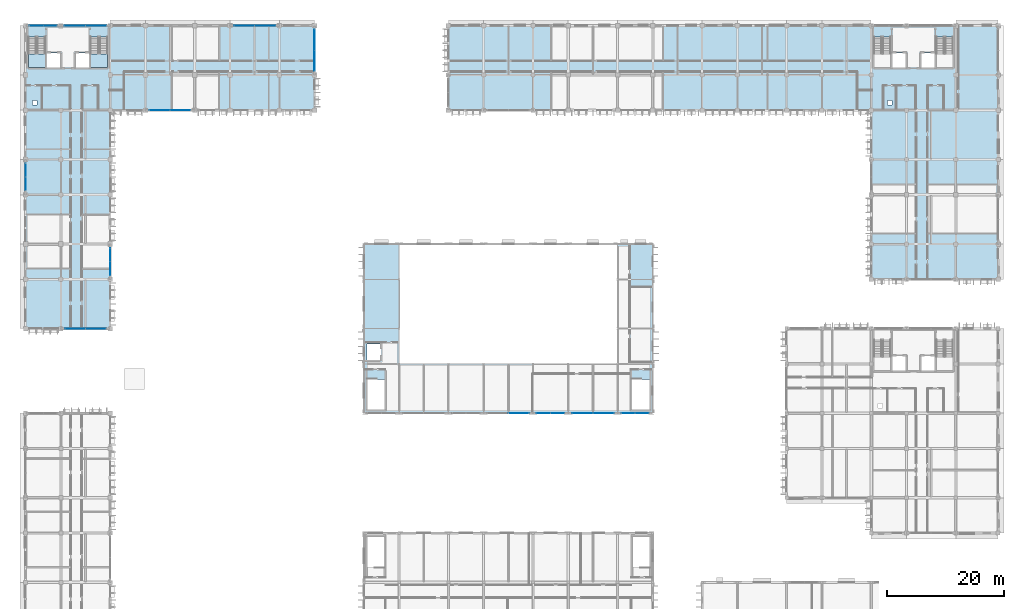
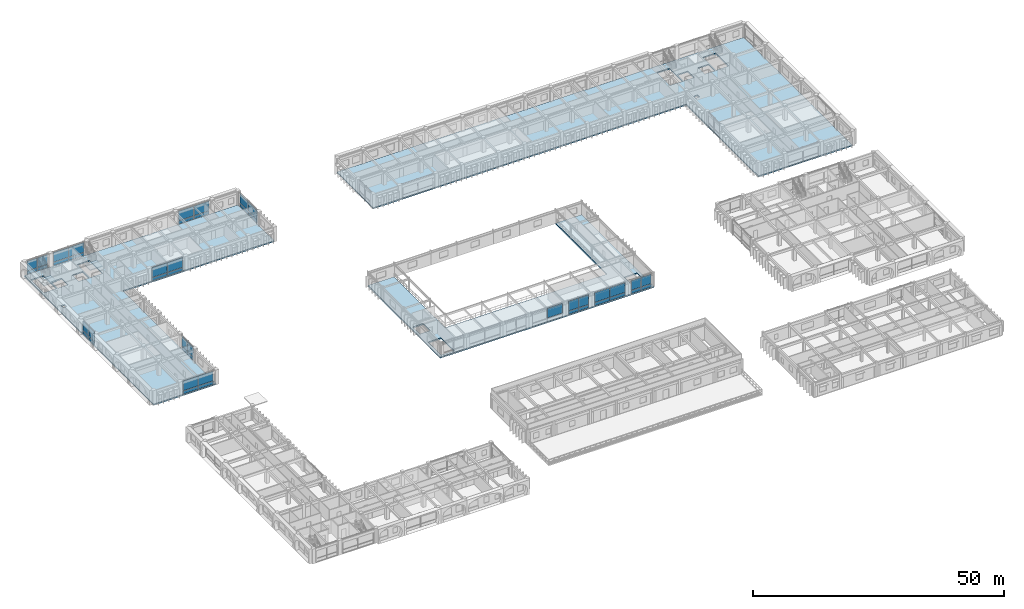
# One storey, part 43 of 88: 45 plates, 5 slabs, 14 elements without a shape of their own.
"""IFC4 building model written with IfcOpenShell, lengths in metres."""

from ifc_helpers import new_model, si_unit, direction, frame, origin, origin_2d, place, context, subcontext, project, spatial, polyline, rectangle, outline, extrude, material, layer, layer_set, type_object, element, aggregate, save


model = new_model("IFC4")

# Units and contexts
model_context = context("Model", 3, precision=1e-05, world=origin(), true_north=direction((0.0, 1.0)))
body_context = subcontext(model_context, "Body", "Model", "MODEL_VIEW")
ifc_project = project(units=[si_unit("LENGTHUNIT", "METRE"), si_unit("AREAUNIT", "SQUARE_METRE"), si_unit("VOLUMEUNIT", "CUBIC_METRE"), si_unit("PLANEANGLEUNIT", "RADIAN"), si_unit("MASSUNIT", "GRAM", prefix="KILO"), si_unit("THERMODYNAMICTEMPERATUREUNIT", "KELVIN")], contexts=[model_context])

# Site, building, storey
site_placement = place(None, origin())
site = spatial("IfcSite", under=ifc_project, at=site_placement, CompositionType="ELEMENT")
building_placement = place(site_placement, origin())
building = spatial("IfcBuilding", under=site, at=building_placement, Name="Thalorik Housing Commons", CompositionType="ELEMENT")
storey_placement = place(building_placement, frame((0.0, 0.0, 4.5)))
storey = spatial("IfcBuildingStorey", under=building, at=storey_placement, Name="L01", CompositionType="ELEMENT", Elevation=4.5)

# Curtain wall, plates
ifc_material_1 = material(Name="Anodised aluminium and solar-control low-E glass", Category="aluminium")
curtain_wall_type_1 = type_object("IfcCurtainWallType", Name="ARC-CW-LOUNGE", PredefinedType="USERDEFINED", material=ifc_material_1)
curtain_wall_1_placement = place(storey_placement, origin())
curtain_wall_1 = element("IfcCurtainWall", 1, at=curtain_wall_1_placement, inside=storey, type_object=curtain_wall_type_1, Name="L01 Curtain Wall CW-RES-L01-A-003", ObjectType="CURTAIN WALL", PredefinedType="USERDEFINED")
ifc_material_2 = material(Name="Cobalt blue enamelled aluminium spandrel panel", Category="aluminium")
ifc_layer_1 = layer(ifc_material_2, 0.0458984375, Name="Cobalt blue enamelled aluminium spandrel panel", Category="aluminium")
ifc_layer_set_1 = layer_set([ifc_layer_1], Name="Cobalt blue enamelled aluminium spandrel panel")
plate_type_1 = type_object("IfcPlateType", Name="ARC-CP-BLU-46", PredefinedType="CURTAIN_PANEL", material=ifc_layer_set_1)
plate_1_placement = place(storey_placement, frame((49.14990234375, 123.60009765625, 0.080078125), z_axis=(0.0, 0.0, 1.0), x_axis=(-1.0, 0.0, 0.0)))
plate_1 = element("IfcPlate", 2, at=plate_1_placement, type_object=plate_type_1, Name="CW-RES-L01-A-003 Spandrel Panel 1", PredefinedType="CURTAIN_PANEL", context=body_context, shape_type="SweptSolid", body=[
    extrude(rectangle(XDim=3.43994140625, YDim=0.0458984375, at=origin_2d()), origin(), (0.0, 0.0, 1.0), 0.760009765625),
])
plate_2_placement = place(storey_placement, frame((45.64990234375, 123.60009765625, 0.080078125), z_axis=(0.0, 0.0, 1.0), x_axis=(-1.0, 0.0, 0.0)))
plate_2 = element("IfcPlate", 3, at=plate_2_placement, type_object=plate_type_1, Name="CW-RES-L01-A-003 Spandrel Panel 2", PredefinedType="CURTAIN_PANEL", context=body_context, shape_type="SweptSolid", body=[
    extrude(rectangle(XDim=3.43994140625, YDim=0.0458984375, at=origin_2d()), origin(), (0.0, 0.0, 1.0), 0.760009765625),
])

curtain_wall_2_placement = place(storey_placement, origin())
curtain_wall_2 = element("IfcCurtainWall", 4, at=curtain_wall_2_placement, inside=storey, type_object=curtain_wall_type_1, Name="L01 Curtain Wall CW-RES-L01-A-006", ObjectType="CURTAIN WALL", PredefinedType="USERDEFINED")
plate_3_placement = place(storey_placement, frame((8.39990234375, 98.949951171875, 0.080078125), z_axis=(0.0, 0.0, 1.0), x_axis=(0.0, -1.0, 0.0)))
plate_3 = element("IfcPlate", 5, at=plate_3_placement, type_object=plate_type_1, Name="CW-RES-L01-A-006 Spandrel Panel 1", PredefinedType="CURTAIN_PANEL", context=body_context, shape_type="SweptSolid", body=[
    extrude(rectangle(XDim=2.239990234375, YDim=0.0458984375, at=origin_2d()), origin(), (0.0, 0.0, 1.0), 0.760009765625),
])
plate_4_placement = place(storey_placement, frame((8.39990234375, 96.64990234375, 0.080078125), z_axis=(0.0, 0.0, 1.0), x_axis=(0.0, -1.0, 0.0)))
plate_4 = element("IfcPlate", 6, at=plate_4_placement, type_object=plate_type_1, Name="CW-RES-L01-A-006 Spandrel Panel 2", PredefinedType="CURTAIN_PANEL", context=body_context, shape_type="SweptSolid", body=[
    extrude(rectangle(XDim=2.239990234375, YDim=0.0458984375, at=origin_2d()), origin(), (0.0, 0.0, 1.0), 0.760009765625),
])

curtain_wall_type_2 = type_object("IfcCurtainWallType", Name="ARC-CW-CIVIC", PredefinedType="USERDEFINED", material=ifc_material_1)
curtain_wall_3_placement = place(storey_placement, origin())
curtain_wall_3 = element("IfcCurtainWall", 7, at=curtain_wall_3_placement, inside=storey, type_object=curtain_wall_type_2, Name="L01 Curtain Wall CW-HALL-L01-217", ObjectType="CURTAIN WALL", PredefinedType="USERDEFINED")
plate_5_placement = place(storey_placement, frame((96.625, 57.60009765625, 0.080078125), z_axis=(0.0, 0.0, 1.0), x_axis=(1.0, 0.0, 0.0)))
plate_5 = element("IfcPlate", 8, at=plate_5_placement, type_object=plate_type_1, Name="CW-HALL-L01-217 Spandrel Panel 1", PredefinedType="CURTAIN_PANEL", context=body_context, shape_type="SweptSolid", body=[
    extrude(rectangle(XDim=2.2900390625, YDim=0.0458984375, at=origin_2d()), origin(), (0.0, 0.0, 1.0), 0.760009765625),
])
plate_6_placement = place(storey_placement, frame((98.97509765625, 57.60009765625, 0.080078125), z_axis=(0.0, 0.0, 1.0), x_axis=(1.0, 0.0, 0.0)))
plate_6 = element("IfcPlate", 9, at=plate_6_placement, type_object=plate_type_1, Name="CW-HALL-L01-217 Spandrel Panel 2", PredefinedType="CURTAIN_PANEL", context=body_context, shape_type="SweptSolid", body=[
    extrude(rectangle(XDim=2.2900390625, YDim=0.0458984375, at=origin_2d()), origin(), (0.0, 0.0, 1.0), 0.760009765625),
])

curtain_wall_4_placement = place(storey_placement, origin())
curtain_wall_4 = element("IfcCurtainWall", 10, at=curtain_wall_4_placement, inside=storey, type_object=curtain_wall_type_1, Name="L01 Curtain Wall CW-RES-L01-A-001", ObjectType="CURTAIN WALL", PredefinedType="USERDEFINED")
ifc_material_3 = material(Name="Double solar-control low-E glass", Category="glass")
ifc_layer_2 = layer(ifc_material_3, 0.028076171875, Name="Double solar-control low-E glass", Category="glass")
ifc_layer_set_2 = layer_set([ifc_layer_2], Name="Double solar-control low-E glass")
plate_type_2 = type_object("IfcPlateType", Name="ARC-CP-GLZ-28", PredefinedType="CURTAIN_PANEL", material=ifc_layer_set_2)
plate_7_placement = place(storey_placement, frame((31.25, 109.199951171875, 0.919921875), z_axis=(0.0, 0.0, 1.0), x_axis=(1.0, 0.0, 0.0)))
plate_7 = element("IfcPlate", 11, at=plate_7_placement, type_object=plate_type_2, Name="CW-RES-L01-A-001 Vision Panel 1", PredefinedType="CURTAIN_PANEL", context=body_context, shape_type="SweptSolid", body=[
    extrude(rectangle(XDim=3.43994140625, YDim=0.028076171875, at=origin_2d()), origin(), (0.0, 0.0, 1.0), 2.340087890625),
])
plate_8_placement = place(storey_placement, frame((34.75, 109.199951171875, 0.919921875), z_axis=(0.0, 0.0, 1.0), x_axis=(1.0, 0.0, 0.0)))
plate_8 = element("IfcPlate", 12, at=plate_8_placement, type_object=plate_type_2, Name="CW-RES-L01-A-001 Vision Panel 2", PredefinedType="CURTAIN_PANEL", context=body_context, shape_type="SweptSolid", body=[
    extrude(rectangle(XDim=3.43994140625, YDim=0.028076171875, at=origin_2d()), origin(), (0.0, 0.0, 1.0), 2.340087890625),
])

curtain_wall_5_placement = place(storey_placement, origin())
curtain_wall_5 = element("IfcCurtainWall", 13, at=curtain_wall_5_placement, inside=storey, type_object=curtain_wall_type_1, Name="L01 Curtain Wall CW-RES-L01-A-002", ObjectType="CURTAIN WALL", PredefinedType="USERDEFINED")
plate_9_placement = place(storey_placement, frame((57.60009765625, 117.64990234375, 0.919921875), z_axis=(0.0, 0.0, 1.0), x_axis=(0.0, 1.0, 0.0)))
plate_9 = element("IfcPlate", 14, at=plate_9_placement, type_object=plate_type_2, Name="CW-RES-L01-A-002 Vision Panel 1", PredefinedType="CURTAIN_PANEL", context=body_context, shape_type="SweptSolid", body=[
    extrude(rectangle(XDim=3.43994140625, YDim=0.028076171875, at=origin_2d()), origin(), (0.0, 0.0, 1.0), 2.340087890625),
])
plate_10_placement = place(storey_placement, frame((57.60009765625, 121.14990234375, 0.919921875), z_axis=(0.0, 0.0, 1.0), x_axis=(0.0, 1.0, 0.0)))
plate_10 = element("IfcPlate", 15, at=plate_10_placement, type_object=plate_type_2, Name="CW-RES-L01-A-002 Vision Panel 2", PredefinedType="CURTAIN_PANEL", context=body_context, shape_type="SweptSolid", body=[
    extrude(rectangle(XDim=3.43994140625, YDim=0.028076171875, at=origin_2d()), origin(), (0.0, 0.0, 1.0), 2.340087890625),
])

# Plate
plate_11_placement = place(storey_placement, frame((49.14990234375, 123.60009765625, 0.919921875), z_axis=(0.0, 0.0, 1.0), x_axis=(-1.0, 0.0, 0.0)))
plate_11 = element("IfcPlate", 16, at=plate_11_placement, type_object=plate_type_2, Name="CW-RES-L01-A-003 Vision Panel 1", PredefinedType="CURTAIN_PANEL", context=body_context, shape_type="SweptSolid", body=[
    extrude(rectangle(XDim=3.43994140625, YDim=0.028076171875, at=origin_2d()), origin(), (0.0, 0.0, 1.0), 2.340087890625),
])

plate_12_placement = place(storey_placement, frame((45.64990234375, 123.60009765625, 0.919921875), z_axis=(0.0, 0.0, 1.0), x_axis=(-1.0, 0.0, 0.0)))
plate_12 = element("IfcPlate", 17, at=plate_12_placement, type_object=plate_type_2, Name="CW-RES-L01-A-003 Vision Panel 2", PredefinedType="CURTAIN_PANEL", context=body_context, shape_type="SweptSolid", body=[
    extrude(rectangle(XDim=3.43994140625, YDim=0.028076171875, at=origin_2d()), origin(), (0.0, 0.0, 1.0), 2.340087890625),
])

aggregate(curtain_wall_1, [plate_1, plate_11, plate_2, plate_12])

# Curtain wall, plates
curtain_wall_type_3 = type_object("IfcCurtainWallType", Name="ARC-CW-CORE", PredefinedType="USERDEFINED", material=ifc_material_1)
curtain_wall_6_placement = place(storey_placement, origin())
curtain_wall_6 = element("IfcCurtainWall", 18, at=curtain_wall_6_placement, inside=storey, type_object=curtain_wall_type_3, Name="L01 Curtain Wall CW-CORE-L01-A-004", ObjectType="CURTAIN WALL", PredefinedType="USERDEFINED")
plate_13_placement = place(storey_placement, frame((20.375, 123.60009765625, 0.919921875), z_axis=(0.0, 0.0, 1.0), x_axis=(-1.0, 0.0, 0.0)))
plate_13 = element("IfcPlate", 19, at=plate_13_placement, type_object=plate_type_2, Name="CW-CORE-L01-A-004 Vision Panel 1", PredefinedType="CURTAIN_PANEL", context=body_context, shape_type="SweptSolid", body=[
    extrude(rectangle(XDim=3.489990234375, YDim=0.028076171875, at=origin_2d()), origin(), (0.0, 0.0, 1.0), 2.340087890625),
])
plate_14_placement = place(storey_placement, frame((16.824951171875, 123.60009765625, 0.919921875), z_axis=(0.0, 0.0, 1.0), x_axis=(-1.0, 0.0, 0.0)))
plate_14 = element("IfcPlate", 20, at=plate_14_placement, type_object=plate_type_2, Name="CW-CORE-L01-A-004 Vision Panel 2", PredefinedType="CURTAIN_PANEL", context=body_context, shape_type="SweptSolid", body=[
    extrude(rectangle(XDim=3.489990234375, YDim=0.028076171875, at=origin_2d()), origin(), (0.0, 0.0, 1.0), 2.340087890625),
])

curtain_wall_7_placement = place(storey_placement, origin())
curtain_wall_7 = element("IfcCurtainWall", 21, at=curtain_wall_7_placement, inside=storey, type_object=curtain_wall_type_3, Name="L01 Curtain Wall CW-CORE-L01-A-005", ObjectType="CURTAIN WALL", PredefinedType="USERDEFINED")
plate_15_placement = place(storey_placement, frame((12.574951171875, 123.60009765625, 0.919921875), z_axis=(0.0, 0.0, 1.0), x_axis=(-1.0, 0.0, 0.0)))
plate_15 = element("IfcPlate", 22, at=plate_15_placement, type_object=plate_type_2, Name="CW-CORE-L01-A-005 Vision Panel 1", PredefinedType="CURTAIN_PANEL", context=body_context, shape_type="SweptSolid", body=[
    extrude(rectangle(XDim=2.2900390625, YDim=0.028076171875, at=origin_2d()), origin(), (0.0, 0.0, 1.0), 2.340087890625),
])
plate_16_placement = place(storey_placement, frame((10.22509765625, 123.60009765625, 0.919921875), z_axis=(0.0, 0.0, 1.0), x_axis=(-1.0, 0.0, 0.0)))
plate_16 = element("IfcPlate", 23, at=plate_16_placement, type_object=plate_type_2, Name="CW-CORE-L01-A-005 Vision Panel 2", PredefinedType="CURTAIN_PANEL", context=body_context, shape_type="SweptSolid", body=[
    extrude(rectangle(XDim=2.2900390625, YDim=0.028076171875, at=origin_2d()), origin(), (0.0, 0.0, 1.0), 2.340087890625),
])

# Plate
plate_17_placement = place(storey_placement, frame((8.39990234375, 98.949951171875, 0.919921875), z_axis=(0.0, 0.0, 1.0), x_axis=(0.0, -1.0, 0.0)))
plate_17 = element("IfcPlate", 24, at=plate_17_placement, type_object=plate_type_2, Name="CW-RES-L01-A-006 Vision Panel 1", PredefinedType="CURTAIN_PANEL", context=body_context, shape_type="SweptSolid", body=[
    extrude(rectangle(XDim=2.239990234375, YDim=0.028076171875, at=origin_2d()), origin(), (0.0, 0.0, 1.0), 2.340087890625),
])

plate_18_placement = place(storey_placement, frame((8.39990234375, 96.64990234375, 0.919921875), z_axis=(0.0, 0.0, 1.0), x_axis=(0.0, -1.0, 0.0)))
plate_18 = element("IfcPlate", 25, at=plate_18_placement, type_object=plate_type_2, Name="CW-RES-L01-A-006 Vision Panel 2", PredefinedType="CURTAIN_PANEL", context=body_context, shape_type="SweptSolid", body=[
    extrude(rectangle(XDim=2.239990234375, YDim=0.028076171875, at=origin_2d()), origin(), (0.0, 0.0, 1.0), 2.340087890625),
])

aggregate(curtain_wall_2, [plate_3, plate_17, plate_4, plate_18])

# Curtain wall, plates
curtain_wall_8_placement = place(storey_placement, origin())
curtain_wall_8 = element("IfcCurtainWall", 26, at=curtain_wall_8_placement, inside=storey, type_object=curtain_wall_type_1, Name="L01 Curtain Wall CW-RES-L01-A-007", ObjectType="CURTAIN WALL", PredefinedType="USERDEFINED")
plate_19_placement = place(storey_placement, frame((16.85009765625, 72.0, 0.919921875), z_axis=(0.0, 0.0, 1.0), x_axis=(1.0, 0.0, 0.0)))
plate_19 = element("IfcPlate", 27, at=plate_19_placement, type_object=plate_type_2, Name="CW-RES-L01-A-007 Vision Panel 1", PredefinedType="CURTAIN_PANEL", context=body_context, shape_type="SweptSolid", body=[
    extrude(rectangle(XDim=3.43994140625, YDim=0.028076171875, at=origin_2d()), origin(), (0.0, 0.0, 1.0), 2.340087890625),
])
plate_20_placement = place(storey_placement, frame((20.35009765625, 72.0, 0.919921875), z_axis=(0.0, 0.0, 1.0), x_axis=(1.0, 0.0, 0.0)))
plate_20 = element("IfcPlate", 28, at=plate_20_placement, type_object=plate_type_2, Name="CW-RES-L01-A-007 Vision Panel 2", PredefinedType="CURTAIN_PANEL", context=body_context, shape_type="SweptSolid", body=[
    extrude(rectangle(XDim=3.43994140625, YDim=0.028076171875, at=origin_2d()), origin(), (0.0, 0.0, 1.0), 2.340087890625),
])

curtain_wall_9_placement = place(storey_placement, origin())
curtain_wall_9 = element("IfcCurtainWall", 29, at=curtain_wall_9_placement, inside=storey, type_object=curtain_wall_type_1, Name="L01 Curtain Wall CW-RES-L01-A-008", ObjectType="CURTAIN WALL", PredefinedType="USERDEFINED")
plate_21_placement = place(storey_placement, frame((22.800048828125, 82.25, 0.919921875), z_axis=(0.0, 0.0, 1.0), x_axis=(0.0, 1.0, 0.0)))
plate_21 = element("IfcPlate", 30, at=plate_21_placement, type_object=plate_type_2, Name="CW-RES-L01-A-008 Vision Panel 1", PredefinedType="CURTAIN_PANEL", context=body_context, shape_type="SweptSolid", body=[
    extrude(rectangle(XDim=2.239990234375, YDim=0.028076171875, at=origin_2d()), origin(), (0.0, 0.0, 1.0), 2.340087890625),
])
plate_22_placement = place(storey_placement, frame((22.800048828125, 84.550048828125, 0.919921875), z_axis=(0.0, 0.0, 1.0), x_axis=(0.0, 1.0, 0.0)))
plate_22 = element("IfcPlate", 31, at=plate_22_placement, type_object=plate_type_2, Name="CW-RES-L01-A-008 Vision Panel 2", PredefinedType="CURTAIN_PANEL", context=body_context, shape_type="SweptSolid", body=[
    extrude(rectangle(XDim=2.239990234375, YDim=0.028076171875, at=origin_2d()), origin(), (0.0, 0.0, 1.0), 2.340087890625),
])

# Curtain wall, plate
curtain_wall_10_placement = place(storey_placement, origin())
curtain_wall_10 = element("IfcCurtainWall", 32, at=curtain_wall_10_placement, inside=storey, type_object=curtain_wall_type_2, Name="L01 Curtain Wall CW-HALL-L01-216", ObjectType="CURTAIN WALL", PredefinedType="USERDEFINED")
ifc_material_4 = material(Name="Acoustic laminated solar-control glass", Category="glass")
ifc_layer_3 = layer(ifc_material_4, 0.031982421875, Name="Acoustic laminated solar-control glass", Category="glass")
ifc_layer_set_3 = layer_set([ifc_layer_3], Name="Acoustic laminated solar-control glass")
plate_type_3 = type_object("IfcPlateType", Name="ARC-CP-GLZ-32", PredefinedType="CURTAIN_PANEL", material=ifc_layer_set_3)
plate_23_placement = place(storey_placement, frame((92.375, 57.60009765625, 0.919921875), z_axis=(0.0, 0.0, 1.0), x_axis=(1.0, 0.0, 0.0)))
plate_23 = element("IfcPlate", 33, at=plate_23_placement, type_object=plate_type_3, Name="CW-HALL-L01-216 Vision Panel 2", PredefinedType="CURTAIN_PANEL", context=body_context, shape_type="SweptSolid", body=[
    extrude(rectangle(XDim=3.489990234375, YDim=0.031982421875, at=origin_2d()), origin(), (0.0, 0.0, 1.0), 2.340087890625),
])
aggregate(curtain_wall_10, [plate_23])

# Plate
plate_24_placement = place(storey_placement, frame((96.625, 57.60009765625, 0.919921875), z_axis=(0.0, 0.0, 1.0), x_axis=(1.0, 0.0, 0.0)))
plate_24 = element("IfcPlate", 34, at=plate_24_placement, type_object=plate_type_3, Name="CW-HALL-L01-217 Vision Panel 1", PredefinedType="CURTAIN_PANEL", context=body_context, shape_type="SweptSolid", body=[
    extrude(rectangle(XDim=2.2900390625, YDim=0.031982421875, at=origin_2d()), origin(), (0.0, 0.0, 1.0), 2.340087890625),
])

plate_25_placement = place(storey_placement, frame((98.97509765625, 57.60009765625, 0.919921875), z_axis=(0.0, 0.0, 1.0), x_axis=(1.0, 0.0, 0.0)))
plate_25 = element("IfcPlate", 35, at=plate_25_placement, type_object=plate_type_3, Name="CW-HALL-L01-217 Vision Panel 2", PredefinedType="CURTAIN_PANEL", context=body_context, shape_type="SweptSolid", body=[
    extrude(rectangle(XDim=2.2900390625, YDim=0.031982421875, at=origin_2d()), origin(), (0.0, 0.0, 1.0), 2.340087890625),
])

aggregate(curtain_wall_3, [plate_5, plate_24, plate_6, plate_25])

# Curtain wall, plates
curtain_wall_11_placement = place(storey_placement, origin())
curtain_wall_11 = element("IfcCurtainWall", 36, at=curtain_wall_11_placement, inside=storey, type_object=curtain_wall_type_2, Name="L01 Curtain Wall CW-HALL-L01-218", ObjectType="CURTAIN WALL", PredefinedType="USERDEFINED")
plate_26_placement = place(storey_placement, frame((103.22509765625, 57.60009765625, 0.919921875), z_axis=(0.0, 0.0, 1.0), x_axis=(1.0, 0.0, 0.0)))
plate_26 = element("IfcPlate", 37, at=plate_26_placement, type_object=plate_type_3, Name="CW-HALL-L01-218 Vision Panel 1", PredefinedType="CURTAIN_PANEL", context=body_context, shape_type="SweptSolid", body=[
    extrude(rectangle(XDim=3.489990234375, YDim=0.031982421875, at=origin_2d()), origin(), (0.0, 0.0, 1.0), 2.340087890625),
])
plate_27_placement = place(storey_placement, frame((106.77490234375, 57.60009765625, 0.919921875), z_axis=(0.0, 0.0, 1.0), x_axis=(1.0, 0.0, 0.0)))
plate_27 = element("IfcPlate", 38, at=plate_27_placement, type_object=plate_type_3, Name="CW-HALL-L01-218 Vision Panel 2", PredefinedType="CURTAIN_PANEL", context=body_context, shape_type="SweptSolid", body=[
    extrude(rectangle(XDim=3.489990234375, YDim=0.031982421875, at=origin_2d()), origin(), (0.0, 0.0, 1.0), 2.340087890625),
])

curtain_wall_12_placement = place(storey_placement, origin())
curtain_wall_12 = element("IfcCurtainWall", 39, at=curtain_wall_12_placement, inside=storey, type_object=curtain_wall_type_2, Name="L01 Curtain Wall CW-HALL-L01-219", ObjectType="CURTAIN WALL", PredefinedType="USERDEFINED")
plate_28_placement = place(storey_placement, frame((111.02490234375, 57.60009765625, 0.919921875), z_axis=(0.0, 0.0, 1.0), x_axis=(1.0, 0.0, 0.0)))
plate_28 = element("IfcPlate", 40, at=plate_28_placement, type_object=plate_type_3, Name="CW-HALL-L01-219 Vision Panel 1", PredefinedType="CURTAIN_PANEL", context=body_context, shape_type="SweptSolid", body=[
    extrude(rectangle(XDim=2.2900390625, YDim=0.031982421875, at=origin_2d()), origin(), (0.0, 0.0, 1.0), 2.340087890625),
])
plate_29_placement = place(storey_placement, frame((113.375, 57.60009765625, 0.919921875), z_axis=(0.0, 0.0, 1.0), x_axis=(1.0, 0.0, 0.0)))
plate_29 = element("IfcPlate", 41, at=plate_29_placement, type_object=plate_type_3, Name="CW-HALL-L01-219 Vision Panel 2", PredefinedType="CURTAIN_PANEL", context=body_context, shape_type="SweptSolid", body=[
    extrude(rectangle(XDim=2.2900390625, YDim=0.031982421875, at=origin_2d()), origin(), (0.0, 0.0, 1.0), 2.340087890625),
])

# Plate
ifc_material_5 = material(Name="Oxide red enamelled aluminium spandrel panel", Category="aluminium")
ifc_layer_4 = layer(ifc_material_5, 0.0419921875, Name="Oxide red enamelled aluminium spandrel panel", Category="aluminium")
ifc_layer_set_4 = layer_set([ifc_layer_4], Name="Oxide red enamelled aluminium spandrel panel")
plate_type_4 = type_object("IfcPlateType", Name="ARC-CP-RED-42", PredefinedType="CURTAIN_PANEL", material=ifc_layer_set_4)
plate_30_placement = place(storey_placement, frame((31.25, 109.199951171875, 0.080078125), z_axis=(0.0, 0.0, 1.0), x_axis=(1.0, 0.0, 0.0)))
plate_30 = element("IfcPlate", 42, at=plate_30_placement, type_object=plate_type_4, Name="CW-RES-L01-A-001 Spandrel Panel 1", PredefinedType="CURTAIN_PANEL", context=body_context, shape_type="SweptSolid", body=[
    extrude(rectangle(XDim=3.43994140625, YDim=0.0419921875, at=origin_2d()), origin(), (0.0, 0.0, 1.0), 0.760009765625),
])

plate_31_placement = place(storey_placement, frame((34.75, 109.199951171875, 0.080078125), z_axis=(0.0, 0.0, 1.0), x_axis=(1.0, 0.0, 0.0)))
plate_31 = element("IfcPlate", 43, at=plate_31_placement, type_object=plate_type_4, Name="CW-RES-L01-A-001 Spandrel Panel 2", PredefinedType="CURTAIN_PANEL", context=body_context, shape_type="SweptSolid", body=[
    extrude(rectangle(XDim=3.43994140625, YDim=0.0419921875, at=origin_2d()), origin(), (0.0, 0.0, 1.0), 0.760009765625),
])

aggregate(curtain_wall_4, [plate_30, plate_7, plate_31, plate_8])

plate_32_placement = place(storey_placement, frame((12.574951171875, 123.60009765625, 0.080078125), z_axis=(0.0, 0.0, 1.0), x_axis=(-1.0, 0.0, 0.0)))
plate_32 = element("IfcPlate", 44, at=plate_32_placement, type_object=plate_type_4, Name="CW-CORE-L01-A-005 Spandrel Panel 1", PredefinedType="CURTAIN_PANEL", context=body_context, shape_type="SweptSolid", body=[
    extrude(rectangle(XDim=2.2900390625, YDim=0.0419921875, at=origin_2d()), origin(), (0.0, 0.0, 1.0), 0.760009765625),
])

plate_33_placement = place(storey_placement, frame((10.22509765625, 123.60009765625, 0.080078125), z_axis=(0.0, 0.0, 1.0), x_axis=(-1.0, 0.0, 0.0)))
plate_33 = element("IfcPlate", 45, at=plate_33_placement, type_object=plate_type_4, Name="CW-CORE-L01-A-005 Spandrel Panel 2", PredefinedType="CURTAIN_PANEL", context=body_context, shape_type="SweptSolid", body=[
    extrude(rectangle(XDim=2.2900390625, YDim=0.0419921875, at=origin_2d()), origin(), (0.0, 0.0, 1.0), 0.760009765625),
])

aggregate(curtain_wall_7, [plate_32, plate_15, plate_33, plate_16])

plate_34_placement = place(storey_placement, frame((16.85009765625, 72.0, 0.080078125), z_axis=(0.0, 0.0, 1.0), x_axis=(1.0, 0.0, 0.0)))
plate_34 = element("IfcPlate", 46, at=plate_34_placement, type_object=plate_type_4, Name="CW-RES-L01-A-007 Spandrel Panel 1", PredefinedType="CURTAIN_PANEL", context=body_context, shape_type="SweptSolid", body=[
    extrude(rectangle(XDim=3.43994140625, YDim=0.0419921875, at=origin_2d()), origin(), (0.0, 0.0, 1.0), 0.760009765625),
])

plate_35_placement = place(storey_placement, frame((20.35009765625, 72.0, 0.080078125), z_axis=(0.0, 0.0, 1.0), x_axis=(1.0, 0.0, 0.0)))
plate_35 = element("IfcPlate", 47, at=plate_35_placement, type_object=plate_type_4, Name="CW-RES-L01-A-007 Spandrel Panel 2", PredefinedType="CURTAIN_PANEL", context=body_context, shape_type="SweptSolid", body=[
    extrude(rectangle(XDim=3.43994140625, YDim=0.0419921875, at=origin_2d()), origin(), (0.0, 0.0, 1.0), 0.760009765625),
])

aggregate(curtain_wall_8, [plate_34, plate_19, plate_35, plate_20])

plate_36_placement = place(storey_placement, frame((111.02490234375, 57.60009765625, 0.080078125), z_axis=(0.0, 0.0, 1.0), x_axis=(1.0, 0.0, 0.0)))
plate_36 = element("IfcPlate", 48, at=plate_36_placement, type_object=plate_type_4, Name="CW-HALL-L01-219 Spandrel Panel 1", PredefinedType="CURTAIN_PANEL", context=body_context, shape_type="SweptSolid", body=[
    extrude(rectangle(XDim=2.2900390625, YDim=0.0419921875, at=origin_2d()), origin(), (0.0, 0.0, 1.0), 0.760009765625),
])

plate_37_placement = place(storey_placement, frame((113.375, 57.60009765625, 0.080078125), z_axis=(0.0, 0.0, 1.0), x_axis=(1.0, 0.0, 0.0)))
plate_37 = element("IfcPlate", 49, at=plate_37_placement, type_object=plate_type_4, Name="CW-HALL-L01-219 Spandrel Panel 2", PredefinedType="CURTAIN_PANEL", context=body_context, shape_type="SweptSolid", body=[
    extrude(rectangle(XDim=2.2900390625, YDim=0.0419921875, at=origin_2d()), origin(), (0.0, 0.0, 1.0), 0.760009765625),
])

aggregate(curtain_wall_12, [plate_36, plate_28, plate_37, plate_29])

ifc_material_6 = material(Name="Mineral ochre yellow aluminium spandrel panel", Category="aluminium")
ifc_layer_5 = layer(ifc_material_6, 0.050048828125, Name="Mineral ochre yellow aluminium spandrel panel", Category="aluminium")
ifc_layer_set_5 = layer_set([ifc_layer_5], Name="Mineral ochre yellow aluminium spandrel panel")
plate_type_5 = type_object("IfcPlateType", Name="ARC-CP-YEL-50", PredefinedType="CURTAIN_PANEL", material=ifc_layer_set_5)
plate_38_placement = place(storey_placement, frame((57.60009765625, 117.64990234375, 0.080078125), z_axis=(0.0, 0.0, 1.0), x_axis=(0.0, 1.0, 0.0)))
plate_38 = element("IfcPlate", 50, at=plate_38_placement, type_object=plate_type_5, Name="CW-RES-L01-A-002 Spandrel Panel 1", PredefinedType="CURTAIN_PANEL", context=body_context, shape_type="SweptSolid", body=[
    extrude(rectangle(XDim=3.43994140625, YDim=0.050048828125, at=origin_2d()), origin(), (0.0, 0.0, 1.0), 0.760009765625),
])

plate_39_placement = place(storey_placement, frame((57.60009765625, 121.14990234375, 0.080078125), z_axis=(0.0, 0.0, 1.0), x_axis=(0.0, 1.0, 0.0)))
plate_39 = element("IfcPlate", 51, at=plate_39_placement, type_object=plate_type_5, Name="CW-RES-L01-A-002 Spandrel Panel 2", PredefinedType="CURTAIN_PANEL", context=body_context, shape_type="SweptSolid", body=[
    extrude(rectangle(XDim=3.43994140625, YDim=0.050048828125, at=origin_2d()), origin(), (0.0, 0.0, 1.0), 0.760009765625),
])

aggregate(curtain_wall_5, [plate_38, plate_9, plate_39, plate_10])

plate_40_placement = place(storey_placement, frame((20.375, 123.60009765625, 0.080078125), z_axis=(0.0, 0.0, 1.0), x_axis=(-1.0, 0.0, 0.0)))
plate_40 = element("IfcPlate", 52, at=plate_40_placement, type_object=plate_type_5, Name="CW-CORE-L01-A-004 Spandrel Panel 1", PredefinedType="CURTAIN_PANEL", context=body_context, shape_type="SweptSolid", body=[
    extrude(rectangle(XDim=3.489990234375, YDim=0.050048828125, at=origin_2d()), origin(), (0.0, 0.0, 1.0), 0.760009765625),
])

plate_41_placement = place(storey_placement, frame((16.824951171875, 123.60009765625, 0.080078125), z_axis=(0.0, 0.0, 1.0), x_axis=(-1.0, 0.0, 0.0)))
plate_41 = element("IfcPlate", 53, at=plate_41_placement, type_object=plate_type_5, Name="CW-CORE-L01-A-004 Spandrel Panel 2", PredefinedType="CURTAIN_PANEL", context=body_context, shape_type="SweptSolid", body=[
    extrude(rectangle(XDim=3.489990234375, YDim=0.050048828125, at=origin_2d()), origin(), (0.0, 0.0, 1.0), 0.760009765625),
])

aggregate(curtain_wall_6, [plate_40, plate_13, plate_41, plate_14])

plate_42_placement = place(storey_placement, frame((22.800048828125, 82.25, 0.080078125), z_axis=(0.0, 0.0, 1.0), x_axis=(0.0, 1.0, 0.0)))
plate_42 = element("IfcPlate", 54, at=plate_42_placement, type_object=plate_type_5, Name="CW-RES-L01-A-008 Spandrel Panel 1", PredefinedType="CURTAIN_PANEL", context=body_context, shape_type="SweptSolid", body=[
    extrude(rectangle(XDim=2.239990234375, YDim=0.050048828125, at=origin_2d()), origin(), (0.0, 0.0, 1.0), 0.760009765625),
])

plate_43_placement = place(storey_placement, frame((22.800048828125, 84.550048828125, 0.080078125), z_axis=(0.0, 0.0, 1.0), x_axis=(0.0, 1.0, 0.0)))
plate_43 = element("IfcPlate", 55, at=plate_43_placement, type_object=plate_type_5, Name="CW-RES-L01-A-008 Spandrel Panel 2", PredefinedType="CURTAIN_PANEL", context=body_context, shape_type="SweptSolid", body=[
    extrude(rectangle(XDim=2.239990234375, YDim=0.050048828125, at=origin_2d()), origin(), (0.0, 0.0, 1.0), 0.760009765625),
])

aggregate(curtain_wall_9, [plate_42, plate_21, plate_43, plate_22])

plate_44_placement = place(storey_placement, frame((103.22509765625, 57.60009765625, 0.080078125), z_axis=(0.0, 0.0, 1.0), x_axis=(1.0, 0.0, 0.0)))
plate_44 = element("IfcPlate", 56, at=plate_44_placement, type_object=plate_type_5, Name="CW-HALL-L01-218 Spandrel Panel 1", PredefinedType="CURTAIN_PANEL", context=body_context, shape_type="SweptSolid", body=[
    extrude(rectangle(XDim=3.489990234375, YDim=0.050048828125, at=origin_2d()), origin(), (0.0, 0.0, 1.0), 0.760009765625),
])

plate_45_placement = place(storey_placement, frame((106.77490234375, 57.60009765625, 0.080078125), z_axis=(0.0, 0.0, 1.0), x_axis=(1.0, 0.0, 0.0)))
plate_45 = element("IfcPlate", 57, at=plate_45_placement, type_object=plate_type_5, Name="CW-HALL-L01-218 Spandrel Panel 2", PredefinedType="CURTAIN_PANEL", context=body_context, shape_type="SweptSolid", body=[
    extrude(rectangle(XDim=3.489990234375, YDim=0.050048828125, at=origin_2d()), origin(), (0.0, 0.0, 1.0), 0.760009765625),
])

aggregate(curtain_wall_11, [plate_44, plate_26, plate_45, plate_27])

# Stair, slab
ifc_material_7 = material(Name="Precast concrete C40/50", Category="concrete")
stair_type = type_object("IfcStairType", Name="ARC-STR-1350-R22", PredefinedType="HALF_TURN_STAIR", material=ifc_material_7)
stair_1_placement = place(storey_placement, origin())
stair_1 = element("IfcStair", 58, at=stair_1_placement, inside=storey, type_object=stair_type, Name="L01 Block A Smoke-Proof Stair 1", PredefinedType="HALF_TURN_STAIR")
ifc_layer_6 = layer(ifc_material_7, 0.199951171875, Name="Precast concrete C40/50", Category="concrete")
ifc_layer_set_6 = layer_set([ifc_layer_6], Name="Precast concrete C40/50")
slab_type_1 = type_object("IfcSlabType", Name="ARC-SLB-STLND-200", PredefinedType="LANDING", material=ifc_layer_set_6)
slab_1_placement = place(storey_placement, frame((0.0, 0.0, 1.60009765625)))
slab_1 = element("IfcSlab", 59, at=slab_1_placement, type_object=slab_type_1, Name="ST-A1 landing 1", PredefinedType="LANDING", context=body_context, shape_type="SweptSolid", body=[
    extrude(outline(polyline([(8.85009765625, 118.800048828125), (8.85009765625, 116.449951171875), (11.75, 116.449951171875), (11.75, 118.800048828125), (8.85009765625, 118.800048828125)])), origin(), (0.0, 0.0, 1.0), 0.199951171875),
])
aggregate(stair_1, [slab_1])

stair_2_placement = place(storey_placement, origin())
stair_2 = element("IfcStair", 60, at=stair_2_placement, inside=storey, type_object=stair_type, Name="L01 Block A Smoke-Proof Stair 2", PredefinedType="HALF_TURN_STAIR")
slab_2_placement = place(storey_placement, frame((0.0, 0.0, 1.60009765625)))
slab_2 = element("IfcSlab", 61, at=slab_2_placement, type_object=slab_type_1, Name="ST-A2 landing 1", PredefinedType="LANDING", context=body_context, shape_type="SweptSolid", body=[
    extrude(outline(polyline([(19.449951171875, 118.800048828125), (19.449951171875, 116.449951171875), (22.35009765625, 116.449951171875), (22.35009765625, 118.800048828125), (19.449951171875, 118.800048828125)])), origin(), (0.0, 0.0, 1.0), 0.199951171875),
])
aggregate(stair_2, [slab_2])

# Slabs
ifc_material_8 = material(Name="Precast concrete C45/55", Category="concrete")
ifc_layer_7 = layer(ifc_material_8, 0.300048828125, Name="Precast concrete C45/55", Category="concrete")
ifc_layer_set_7 = layer_set([ifc_layer_7], Name="Precast concrete C45/55")
slab_type_2 = type_object("IfcSlabType", Name="STR-SLB-POD-300", PredefinedType="FLOOR", material=ifc_layer_set_7)
slab_3_placement = place(storey_placement, frame((0.0, 0.0, -0.300048828125)))
element("IfcSlab", 62, at=slab_3_placement, inside=storey, type_object=slab_type_2, Name="L01 Residential Block A Floor Slab", PredefinedType="FLOOR", context=body_context, shape_type="SweptSolid", body=[
    extrude(outline(polyline([(8.39990234375, 123.60009765625), (8.39990234375, 109.199951171875), (8.39990234375, 72.0), (22.800048828125, 72.0), (22.800048828125, 109.199951171875), (57.60009765625, 109.199951171875), (57.60009765625, 123.60009765625), (8.39990234375, 123.60009765625)]), holes=[polyline([(8.85009765625, 121.64990234375), (11.75, 121.64990234375), (11.75, 116.449951171875), (8.85009765625, 116.449951171875), (8.85009765625, 121.64990234375)]), polyline([(22.35009765625, 121.64990234375), (22.35009765625, 116.449951171875), (19.449951171875, 116.449951171875), (19.449951171875, 121.64990234375), (22.35009765625, 121.64990234375)]), polyline([(14.39990234375, 119.0), (14.39990234375, 116.449951171875), (12.0, 116.449951171875), (12.0, 119.0), (14.39990234375, 119.0)]), polyline([(19.199951171875, 116.449951171875), (16.800048828125, 116.449951171875), (16.800048828125, 119.0), (19.199951171875, 119.0), (19.199951171875, 116.449951171875)]), polyline([(9.550048828125, 110.050048828125), (9.550048828125, 110.85009765625), (10.35009765625, 110.85009765625), (10.35009765625, 110.050048828125), (9.550048828125, 110.050048828125)])]), origin(), (0.0, 0.0, 1.0), 0.300048828125),
])
slab_4_placement = place(storey_placement, frame((0.0, 0.0, -0.300048828125)))
element("IfcSlab", 63, at=slab_4_placement, inside=storey, type_object=slab_type_2, Name="L01 Residential Block B Floor Slab", PredefinedType="FLOOR", context=body_context, shape_type="SweptSolid", body=[
    extrude(outline(polyline([(80.39990234375, 109.199951171875), (152.39990234375, 109.199951171875), (152.39990234375, 80.39990234375), (174.0, 80.39990234375), (174.0, 109.199951171875), (174.0, 123.60009765625), (80.39990234375, 123.60009765625), (80.39990234375, 109.199951171875)]), holes=[polyline([(152.85009765625, 121.64990234375), (155.75, 121.64990234375), (155.75, 116.449951171875), (152.85009765625, 116.449951171875), (152.85009765625, 121.64990234375)]), polyline([(166.35009765625, 121.64990234375), (166.35009765625, 116.449951171875), (163.449951171875, 116.449951171875), (163.449951171875, 121.64990234375), (166.35009765625, 121.64990234375)]), polyline([(158.39990234375, 119.0), (158.39990234375, 116.449951171875), (156.0, 116.449951171875), (156.0, 119.0), (158.39990234375, 119.0)]), polyline([(163.199951171875, 116.449951171875), (160.800048828125, 116.449951171875), (160.800048828125, 119.0), (163.199951171875, 119.0), (163.199951171875, 116.449951171875)]), polyline([(155.14990234375, 110.050048828125), (155.14990234375, 110.85009765625), (155.949951171875, 110.85009765625), (155.949951171875, 110.050048828125), (155.14990234375, 110.050048828125)])]), origin(), (0.0, 0.0, 1.0), 0.300048828125),
])
slab_5_placement = place(storey_placement, frame((0.0, 0.0, -0.300048828125)))
element("IfcSlab", 64, at=slab_5_placement, inside=storey, type_object=slab_type_2, Name="L01 Community Hall Gallery and Workshop Slab", PredefinedType="FLOOR", context=body_context, shape_type="SweptSolid", body=[
    extrude(outline(polyline([(66.0, 57.60009765625), (115.199951171875, 57.60009765625), (115.199951171875, 86.39990234375), (109.199951171875, 86.39990234375), (109.199951171875, 66.0), (72.0, 66.0), (72.0, 86.39990234375), (66.0, 86.39990234375), (66.0, 57.60009765625)]), holes=[polyline([(69.550048828125, 58.14990234375), (66.550048828125, 58.14990234375), (66.550048828125, 63.35009765625), (69.550048828125, 63.35009765625), (69.550048828125, 58.14990234375)]), polyline([(111.64990234375, 58.14990234375), (111.64990234375, 63.35009765625), (114.64990234375, 63.35009765625), (114.64990234375, 58.14990234375), (111.64990234375, 58.14990234375)]), polyline([(66.550048828125, 66.60009765625), (66.550048828125, 69.39990234375), (68.949951171875, 69.39990234375), (68.949951171875, 66.60009765625), (66.550048828125, 66.60009765625)])]), origin(), (0.0, 0.0, 1.0), 0.300048828125),
])

save(model, "model.ifc")
